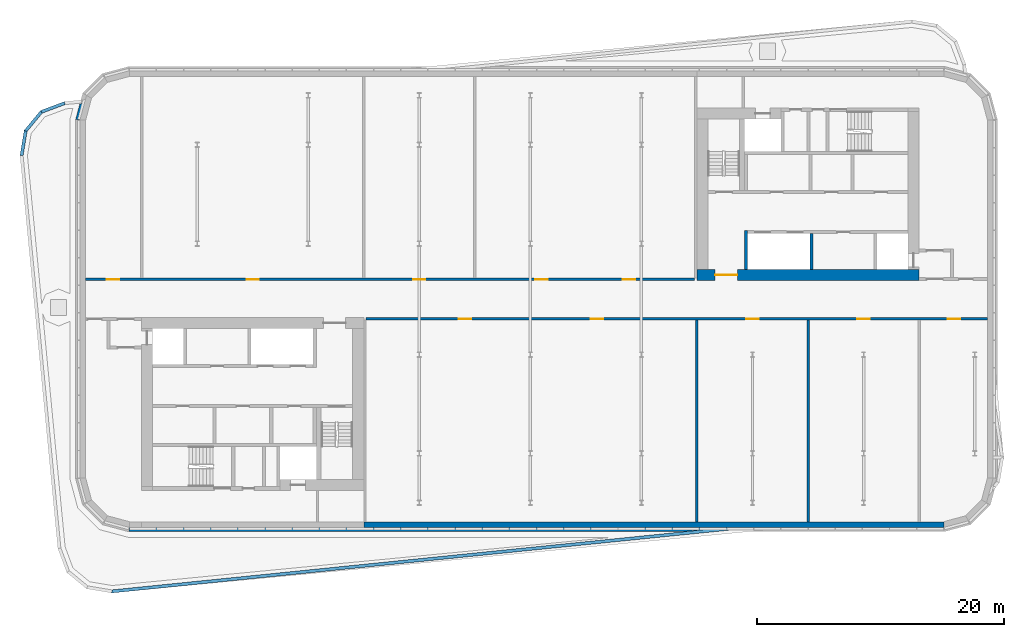
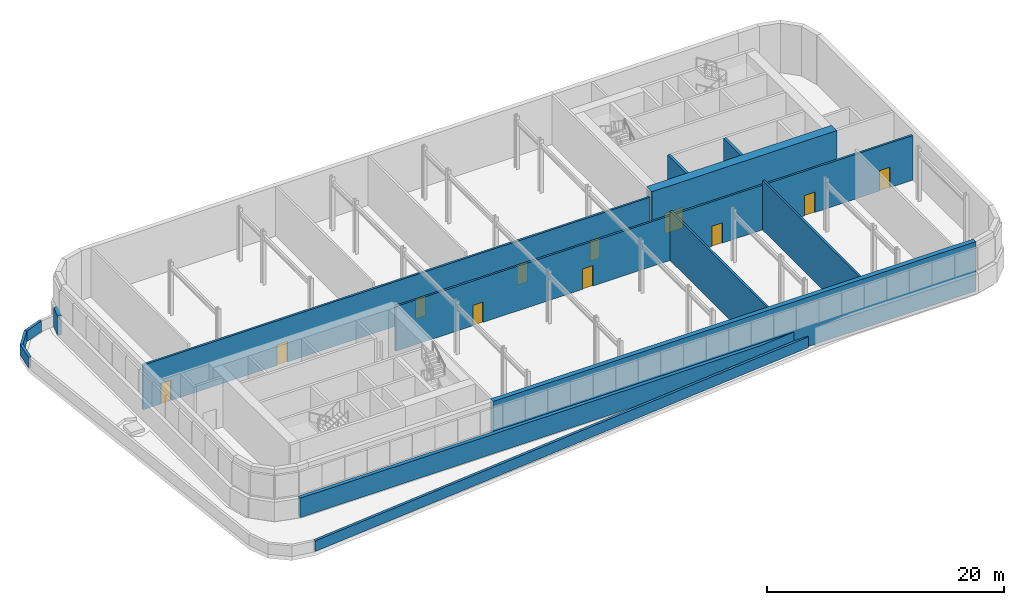
# One storey, part 7 of 16: 14 walls, 11 doors, 11 openings.
"""IFC4 building model written with IfcOpenShell, lengths in metres."""

from ifc_helpers import new_model, si_unit, direction, frame, frame_2d, origin, place, context, subcontext, project, spatial, polyline, rectangle, outline, extrude, material, layer, layer_set, type_object, element, fill, save


model = new_model("IFC4")

# Units and contexts
model_context = context("Model", 3, precision=1e-05, world=origin(), true_north=direction((0.0, 1.0)))
body_context = subcontext(model_context, "Body", "Model", "MODEL_VIEW")
ifc_project = project(units=[si_unit("LENGTHUNIT", "METRE"), si_unit("AREAUNIT", "SQUARE_METRE"), si_unit("VOLUMEUNIT", "CUBIC_METRE"), si_unit("PLANEANGLEUNIT", "RADIAN"), si_unit("MASSUNIT", "GRAM", prefix="KILO")], contexts=[model_context])

# Site, building, storey
site_placement = place(None, origin())
site = spatial("IfcSite", under=ifc_project, at=site_placement, CompositionType="ELEMENT")
building_placement = place(site_placement, origin())
building = spatial("IfcBuilding", under=site, at=building_placement, Name="Kajstack Hotel Tower", CompositionType="ELEMENT")
storey_placement = place(building_placement, frame((0.0, 0.0, 308.10009765625)))
storey = spatial("IfcBuildingStorey", under=building, at=storey_placement, Name="L78", CompositionType="ELEMENT", Elevation=308.10009765625)

# Walls
ifc_material_1 = material(Name="Concrete C40/50", Category="concrete")
ifc_layer_1 = layer(ifc_material_1, 0.35009765625)
ifc_layer_set_1 = layer_set([ifc_layer_1], Name="CROWN-BAND")
wall_type_1 = type_object("IfcWallType", Name="CROWN-BAND", PredefinedType="SOLIDWALL", material=ifc_layer_set_1)
wall_1_placement = place(storey_placement, origin())
element("IfcWall", 1, at=wall_1_placement, inside=storey, type_object=wall_type_1, Name="Crown band 3", PredefinedType="SOLIDWALL", context=body_context, shape_type="SweptSolid", body=[
    extrude(outline(polyline([(-32.5, -18.5), (-32.546142578125, -18.85009765625), (12.332763671875, -18.85009765625), (15.77490234375, -18.5), (-32.5, -18.5)])), origin(), (0.0, 0.0, 1.0), 2.0),
])
wall_2_placement = place(storey_placement, origin())
element("IfcWall", 2, at=wall_2_placement, inside=storey, type_object=wall_type_1, Name="Crown band 21", PredefinedType="SOLIDWALL", context=body_context, shape_type="SweptSolid", body=[
    extrude(outline(polyline([(-36.13671875, 15.85595703125), (-36.508544921875, 15.820068359375), (-36.85009765625, 14.546142578125), (-36.5, 14.5), (-36.13671875, 15.85595703125)])), origin(), (0.0, 0.0, 1.0), 2.0),
])

# Wall, opening, door
ifc_material_2 = material(Name="Concrete C60/75", Category="concrete")
ifc_layer_2 = layer(ifc_material_2, 0.89990234375)
ifc_layer_set_2 = layer_set([ifc_layer_2], Name="Core wall 900")
wall_type_2 = type_object("IfcWallType", Name="Core wall 900", PredefinedType="SHEAR", material=ifc_layer_set_2)
wall_3_placement = place(storey_placement, frame((13.5, 1.949951171875, 0.0), z_axis=(0.0, 0.0, 1.0), x_axis=(1.0, 0.0, 0.0)))
wall_3 = element("IfcWall", 3, at=wall_3_placement, inside=storey, type_object=wall_type_2, Name="Core wall E RN", PredefinedType="SHEAR", context=body_context, shape_type="SweptSolid", body=[
    extrude(rectangle(XDim=18.0, YDim=0.89990234375, at=frame_2d((9.0, 0.0))), origin(), (0.0, 0.0, 1.0), 5.099853515625),
])
opening_1_placement = place(wall_3_placement, frame((1.47509765625, 0.0, 0.0)))
opening_1 = element("IfcOpeningElement", 4, at=opening_1_placement, cuts=wall_3, Name="Opening 78E05", PredefinedType="OPENING", context=body_context, shape_type="SweptSolid", body=[
    extrude(rectangle(XDim=1.800048828125, YDim=2.10009765625, at=frame_2d((0.89990234375, 1.050048828125))), frame((0.0, 0.4599609375, 0.0), z_axis=(0.0, -1.0, 0.0), x_axis=(1.0, 0.0, 0.0)), (0.0, 0.0, 1.0), 0.919921875),
])
ifc_material_3 = material(Name="Glazed steel frame, fire-rated glass", Category="steel")
door_type_1 = type_object("IfcDoorType", Name="Lobby double door 1800", OperationType="DOUBLE_DOOR_DOUBLE_SWING", PredefinedType="DOOR", material=ifc_material_3)
door_1_placement = place(opening_1_placement, origin())
door_1 = element("IfcDoor", 5, at=door_1_placement, inside=storey, type_object=door_type_1, Name="Door 78E05", OperationType="DOUBLE_DOOR_DOUBLE_SWING", OverallHeight=2.10009765625, OverallWidth=1.800048828125, PredefinedType="DOOR", context=body_context, shape_type="SweptSolid", body=[
    extrude(rectangle(XDim=1.800048828125, YDim=2.10009765625, at=frame_2d((0.89990234375, 1.050048828125))), frame((0.0, 0.02490234375, 0.0), z_axis=(0.0, -1.0, 0.0), x_axis=(1.0, 0.0, 0.0)), (0.0, 0.0, 1.0), 0.050048828125),
])
fill(opening_1, door_1)

# Walls
ifc_material_4 = material(Name="Zinc-clad block masonry", Category="masonry")
ifc_layer_3 = layer(ifc_material_4, 0.449951171875)
ifc_layer_set_3 = layer_set([ifc_layer_3], Name="EW-ZINC")
wall_type_3 = type_object("IfcWallType", Name="EW-ZINC", PredefinedType="SOLIDWALL", material=ifc_layer_set_3)
wall_4_placement = place(storey_placement, frame((-13.5, -18.27490234375, 0.0), z_axis=(0.0, 0.0, 1.0), x_axis=(1.0, 0.0, 0.0)))
element("IfcWall", 6, at=wall_4_placement, inside=storey, type_object=wall_type_3, Name="E-wall-L78-03-02", PredefinedType="SOLIDWALL", context=body_context, shape_type="SweptSolid", body=[
    extrude(rectangle(XDim=47.0, YDim=0.449951171875, at=frame_2d((23.5, 0.0))), origin(), (0.0, 0.0, 1.0), 5.099853515625),
])
ifc_material_5 = material(Name="Concrete C50/60", Category="concrete")
ifc_layer_4 = layer(ifc_material_5, 0.300048828125)
ifc_layer_set_4 = layer_set([ifc_layer_4], Name="Hoistway divider wall 300")
wall_type_4 = type_object("IfcWallType", Name="Hoistway divider wall 300", PredefinedType="SHEAR", material=ifc_layer_set_4)
wall_5_placement = place(storey_placement, frame((22.77490234375, 2.39990234375, 0.0), z_axis=(0.0, 0.0, 1.0), x_axis=(0.0, 1.0, 0.0)))
element("IfcWall", 7, at=wall_5_placement, inside=storey, type_object=wall_type_4, Name="Core wall E AP2", PredefinedType="SHEAR", context=body_context, shape_type="SweptSolid", body=[
    extrude(rectangle(XDim=2.900146484375, YDim=0.25, at=frame_2d((1.4501953125, 0.0))), origin(), (0.0, 0.0, 1.0), 5.099853515625),
])
ifc_layer_5 = layer(ifc_material_4, 0.25)
ifc_layer_set_5 = layer_set([ifc_layer_5], Name="PARAPET-ZINC")
wall_type_5 = type_object("IfcWallType", Name="PARAPET-ZINC", PredefinedType="PARAPET", material=ifc_layer_set_5)
wall_6_placement = place(storey_placement, origin())
element("IfcWall", 8, at=wall_6_placement, inside=storey, type_object=wall_type_5, Name="Parapet L78-01-01-01", PredefinedType="PARAPET", context=body_context, shape_type="SweptSolid", body=[
    extrude(outline(polyline([(17.1220703125, -18.624267578125), (17.109619140625, -18.5009765625), (15.864013671875, -18.5009765625), (-33.915771484375, -23.5625), (-33.924072265625, -23.814697265625), (17.1220703125, -18.624267578125)])), origin(), (0.0, 0.0, 1.0), 1.099853515625),
])
wall_7_placement = place(storey_placement, origin())
element("IfcWall", 9, at=wall_7_placement, inside=storey, type_object=wall_type_5, Name="Parapet L78-01-01-06", PredefinedType="PARAPET", context=body_context, shape_type="SweptSolid", body=[
    extrude(outline(polyline([(-41.356201171875, 11.63623046875), (-41.104248046875, 11.62744140625), (-40.779052734375, 13.571044921875), (-41.014404296875, 13.678466796875), (-41.356201171875, 11.63623046875)])), origin(), (0.0, 0.0, 1.0), 1.099853515625),
])
wall_8_placement = place(storey_placement, origin())
element("IfcWall", 10, at=wall_8_placement, inside=storey, type_object=wall_type_5, Name="Parapet L78-01-01-07", PredefinedType="PARAPET", context=body_context, shape_type="SweptSolid", body=[
    extrude(outline(polyline([(-41.014404296875, 13.678466796875), (-40.779052734375, 13.571044921875), (-39.54736328125, 15.0654296875), (-39.697509765625, 15.276123046875), (-41.014404296875, 13.678466796875)])), origin(), (0.0, 0.0, 1.0), 1.099853515625),
])
wall_9_placement = place(storey_placement, origin())
element("IfcWall", 11, at=wall_9_placement, inside=storey, type_object=wall_type_5, Name="Parapet L78-01-01-08", PredefinedType="PARAPET", context=body_context, shape_type="SweptSolid", body=[
    extrude(outline(polyline([(-39.697509765625, 15.276123046875), (-39.54736328125, 15.0654296875), (-37.701416015625, 15.755615234375), (-37.758056640625, 16.001220703125), (-39.697509765625, 15.276123046875)])), origin(), (0.0, 0.0, 1.0), 1.099853515625),
])

# Wall, openings, doors
ifc_material_6 = material(Name="Gypsum board on steel studs, mineral wool", Category="steel")
ifc_layer_6 = layer(ifc_material_6, 0.199951171875)
ifc_layer_set_6 = layer_set([ifc_layer_6], Name="Public partition 200")
wall_type_6 = type_object("IfcWallType", Name="Public partition 200", PredefinedType="PARTITIONING", material=ifc_layer_set_6)
wall_10_placement = place(storey_placement, frame((-36.050048828125, 1.60009765625, 0.0), z_axis=(0.0, 0.0, 1.0), x_axis=(1.0, 0.0, 0.0)))
wall_10 = element("IfcWall", 12, at=wall_10_placement, inside=storey, type_object=wall_type_6, Name="Partition FW", PredefinedType="PARTITIONING", context=body_context, shape_type="SweptSolid", body=[
    extrude(rectangle(XDim=49.35009765625, YDim=0.199951171875, at=frame_2d((24.675048828125, 0.0))), origin(), (0.0, 0.0, 1.0), 4.599853515625),
])
opening_2_placement = place(wall_10_placement, frame((43.5400390625, 0.0, 0.0)))
opening_2 = element("IfcOpeningElement", 13, at=opening_2_placement, cuts=wall_10, Name="Opening 78P01", PredefinedType="OPENING", context=body_context, shape_type="SweptSolid", body=[
    extrude(rectangle(XDim=1.0, YDim=2.10009765625, at=frame_2d((0.5, 1.050048828125))), frame((0.0, 0.10986328125, 0.0), z_axis=(0.0, -1.0, 0.0), x_axis=(1.0, 0.0, 0.0)), (0.0, 0.0, 1.0), 0.219970703125),
])
opening_3_placement = place(wall_10_placement, frame((36.4599609375, 0.0, 0.0)))
opening_3 = element("IfcOpeningElement", 14, at=opening_3_placement, cuts=wall_10, Name="Opening 78P02", PredefinedType="OPENING", context=body_context, shape_type="SweptSolid", body=[
    extrude(rectangle(XDim=1.0, YDim=2.10009765625, at=frame_2d((0.5, 1.050048828125))), frame((0.0, 0.10986328125, 0.0), z_axis=(0.0, -1.0, 0.0), x_axis=(1.0, 0.0, 0.0)), (0.0, 0.0, 1.0), 0.219970703125),
])
opening_4_placement = place(wall_10_placement, frame((26.550048828125, 0.0, 0.0)))
opening_4 = element("IfcOpeningElement", 15, at=opening_4_placement, cuts=wall_10, Name="Opening 78P03", PredefinedType="OPENING", context=body_context, shape_type="SweptSolid", body=[
    extrude(rectangle(XDim=1.0, YDim=2.10009765625, at=frame_2d((0.5, 1.050048828125))), frame((0.0, 0.10986328125, 0.0), z_axis=(0.0, -1.0, 0.0), x_axis=(1.0, 0.0, 0.0)), (0.0, 0.0, 1.0), 0.219970703125),
])
opening_5_placement = place(wall_10_placement, frame((13.050048828125, 0.0, 0.0)))
opening_5 = element("IfcOpeningElement", 16, at=opening_5_placement, cuts=wall_10, Name="Opening 78P04", PredefinedType="OPENING", context=body_context, shape_type="SweptSolid", body=[
    extrude(rectangle(XDim=1.0, YDim=2.10009765625, at=frame_2d((0.5, 1.050048828125))), frame((0.0, 0.10986328125, 0.0), z_axis=(0.0, -1.0, 0.0), x_axis=(1.0, 0.0, 0.0)), (0.0, 0.0, 1.0), 0.219970703125),
])
opening_6_placement = place(wall_10_placement, frame((1.72509765625, 0.0, 0.0)))
opening_6 = element("IfcOpeningElement", 17, at=opening_6_placement, cuts=wall_10, Name="Opening 78P05", PredefinedType="OPENING", context=body_context, shape_type="SweptSolid", body=[
    extrude(rectangle(XDim=1.0, YDim=2.10009765625, at=frame_2d((0.5, 1.050048828125))), frame((0.0, 0.10986328125, 0.0), z_axis=(0.0, -1.0, 0.0), x_axis=(1.0, 0.0, 0.0)), (0.0, 0.0, 1.0), 0.219970703125),
])
ifc_material_7 = material(Name="Timber leaf", Category="wood")
door_type_2 = type_object("IfcDoorType", Name="Public room door 1000", OperationType="SINGLE_SWING_LEFT", PredefinedType="DOOR", material=ifc_material_7)
door_2_placement = place(opening_2_placement, origin())
door_2 = element("IfcDoor", 18, at=door_2_placement, inside=storey, type_object=door_type_2, Name="Door 78P01", OperationType="SINGLE_SWING_LEFT", OverallHeight=2.10009765625, OverallWidth=1.0, PredefinedType="DOOR", context=body_context, shape_type="SweptSolid", body=[
    extrude(rectangle(XDim=1.0, YDim=2.10009765625, at=frame_2d((0.5, 1.050048828125))), frame((0.0, 0.02490234375, 0.0), z_axis=(0.0, -1.0, 0.0), x_axis=(1.0, 0.0, 0.0)), (0.0, 0.0, 1.0), 0.050048828125),
])
fill(opening_2, door_2)
door_3_placement = place(opening_3_placement, origin())
door_3 = element("IfcDoor", 19, at=door_3_placement, inside=storey, type_object=door_type_2, Name="Door 78P02", OperationType="SINGLE_SWING_LEFT", OverallHeight=2.10009765625, OverallWidth=1.0, PredefinedType="DOOR", context=body_context, shape_type="SweptSolid", body=[
    extrude(rectangle(XDim=1.0, YDim=2.10009765625, at=frame_2d((0.5, 1.050048828125))), frame((0.0, 0.02490234375, 0.0), z_axis=(0.0, -1.0, 0.0), x_axis=(1.0, 0.0, 0.0)), (0.0, 0.0, 1.0), 0.050048828125),
])
fill(opening_3, door_3)
door_4_placement = place(opening_4_placement, origin())
door_4 = element("IfcDoor", 20, at=door_4_placement, inside=storey, type_object=door_type_2, Name="Door 78P03", OperationType="SINGLE_SWING_LEFT", OverallHeight=2.10009765625, OverallWidth=1.0, PredefinedType="DOOR", context=body_context, shape_type="SweptSolid", body=[
    extrude(rectangle(XDim=1.0, YDim=2.10009765625, at=frame_2d((0.5, 1.050048828125))), frame((0.0, 0.02490234375, 0.0), z_axis=(0.0, -1.0, 0.0), x_axis=(1.0, 0.0, 0.0)), (0.0, 0.0, 1.0), 0.050048828125),
])
fill(opening_4, door_4)
door_5_placement = place(opening_5_placement, origin())
door_5 = element("IfcDoor", 21, at=door_5_placement, inside=storey, type_object=door_type_2, Name="Door 78P04", OperationType="SINGLE_SWING_LEFT", OverallHeight=2.10009765625, OverallWidth=1.0, PredefinedType="DOOR", context=body_context, shape_type="SweptSolid", body=[
    extrude(rectangle(XDim=1.0, YDim=2.10009765625, at=frame_2d((0.5, 1.050048828125))), frame((0.0, 0.02490234375, 0.0), z_axis=(0.0, -1.0, 0.0), x_axis=(1.0, 0.0, 0.0)), (0.0, 0.0, 1.0), 0.050048828125),
])
fill(opening_5, door_5)
door_6_placement = place(opening_6_placement, origin())
door_6 = element("IfcDoor", 22, at=door_6_placement, inside=storey, type_object=door_type_2, Name="Door 78P05", OperationType="SINGLE_SWING_LEFT", OverallHeight=2.10009765625, OverallWidth=1.0, PredefinedType="DOOR", context=body_context, shape_type="SweptSolid", body=[
    extrude(rectangle(XDim=1.0, YDim=2.10009765625, at=frame_2d((0.5, 1.050048828125))), frame((0.0, 0.02490234375, 0.0), z_axis=(0.0, -1.0, 0.0), x_axis=(1.0, 0.0, 0.0)), (0.0, 0.0, 1.0), 0.050048828125),
])
fill(opening_6, door_6)

# Walls
for number, where, z_axis, x_axis, name in (
    (23, (13.5, -18.050048828125, 0.0), (0.0, 0.0, 1.0), (0.0, 1.0, 0.0), "Partition SPX0"),
    (24, (22.5, -18.050048828125, 0.0), (0.0, 0.0, 1.0), (0.0, 1.0, 0.0), "Partition SPX1"),
):
    element("IfcWall", number, at=place(storey_placement, frame(where, z_axis=z_axis, x_axis=x_axis)), inside=storey, type_object=wall_type_6, Name=name, PredefinedType="PARTITIONING", context=body_context, shape_type="SweptSolid", body=[
        extrude(rectangle(XDim=16.35009765625, YDim=0.199951171875, at=frame_2d((8.175048828125, 0.0))), origin(), (0.0, 0.0, 1.0), 5.099853515625),
    ])

# Wall, openings, doors
wall_11_placement = place(storey_placement, frame((-13.300048828125, -1.60009765625, 0.0), z_axis=(0.0, 0.0, 1.0), x_axis=(1.0, 0.0, 0.0)))
wall_11 = element("IfcWall", 25, at=wall_11_placement, inside=storey, type_object=wall_type_6, Name="Partition SFW", PredefinedType="PARTITIONING", context=body_context, shape_type="SweptSolid", body=[
    extrude(rectangle(XDim=50.35009765625, YDim=0.199951171875, at=frame_2d((25.175048828125, 0.0))), origin(), (0.0, 0.0, 1.0), 4.599853515625),
])
opening_7_placement = place(wall_11_placement, frame((7.510009765625, 0.0, 0.0)))
opening_7 = element("IfcOpeningElement", 26, at=opening_7_placement, cuts=wall_11, Name="Opening 78P06", PredefinedType="OPENING", context=body_context, shape_type="SweptSolid", body=[
    extrude(rectangle(XDim=1.0, YDim=2.10009765625, at=frame_2d((0.5, 1.050048828125))), frame((0.0, 0.10986328125, 0.0), z_axis=(0.0, -1.0, 0.0), x_axis=(1.0, 0.0, 0.0)), (0.0, 0.0, 1.0), 0.219970703125),
])
opening_8_placement = place(wall_11_placement, frame((18.18994140625, 0.0, 0.0)))
opening_8 = element("IfcOpeningElement", 27, at=opening_8_placement, cuts=wall_11, Name="Opening 78P07", PredefinedType="OPENING", context=body_context, shape_type="SweptSolid", body=[
    extrude(rectangle(XDim=1.0, YDim=2.10009765625, at=frame_2d((0.5, 1.050048828125))), frame((0.0, 0.10986328125, 0.0), z_axis=(0.0, -1.0, 0.0), x_axis=(1.0, 0.0, 0.0)), (0.0, 0.0, 1.0), 0.219970703125),
])
opening_9_placement = place(wall_11_placement, frame((30.800048828125, 0.0, 0.0)))
opening_9 = element("IfcOpeningElement", 28, at=opening_9_placement, cuts=wall_11, Name="Opening 78P08", PredefinedType="OPENING", context=body_context, shape_type="SweptSolid", body=[
    extrude(rectangle(XDim=1.0, YDim=2.10009765625, at=frame_2d((0.5, 1.050048828125))), frame((0.0, 0.10986328125, 0.0), z_axis=(0.0, -1.0, 0.0), x_axis=(1.0, 0.0, 0.0)), (0.0, 0.0, 1.0), 0.219970703125),
])
opening_10_placement = place(wall_11_placement, frame((39.800048828125, 0.0, 0.0)))
opening_10 = element("IfcOpeningElement", 29, at=opening_10_placement, cuts=wall_11, Name="Opening 78P09", PredefinedType="OPENING", context=body_context, shape_type="SweptSolid", body=[
    extrude(rectangle(XDim=1.0, YDim=2.10009765625, at=frame_2d((0.5, 1.050048828125))), frame((0.0, 0.10986328125, 0.0), z_axis=(0.0, -1.0, 0.0), x_axis=(1.0, 0.0, 0.0)), (0.0, 0.0, 1.0), 0.219970703125),
])
opening_11_placement = place(wall_11_placement, frame((47.125, 0.0, 0.0)))
opening_11 = element("IfcOpeningElement", 30, at=opening_11_placement, cuts=wall_11, Name="Opening 78P10", PredefinedType="OPENING", context=body_context, shape_type="SweptSolid", body=[
    extrude(rectangle(XDim=1.0, YDim=2.10009765625, at=frame_2d((0.5, 1.050048828125))), frame((0.0, 0.10986328125, 0.0), z_axis=(0.0, -1.0, 0.0), x_axis=(1.0, 0.0, 0.0)), (0.0, 0.0, 1.0), 0.219970703125),
])
door_7_placement = place(opening_7_placement, origin())
door_7 = element("IfcDoor", 31, at=door_7_placement, inside=storey, type_object=door_type_2, Name="Door 78P06", OperationType="SINGLE_SWING_RIGHT", OverallHeight=2.10009765625, OverallWidth=1.0, PredefinedType="DOOR", context=body_context, shape_type="SweptSolid", body=[
    extrude(rectangle(XDim=1.0, YDim=2.10009765625, at=frame_2d((0.5, 1.050048828125))), frame((0.0, 0.02490234375, 0.0), z_axis=(0.0, -1.0, 0.0), x_axis=(1.0, 0.0, 0.0)), (0.0, 0.0, 1.0), 0.050048828125),
])
fill(opening_7, door_7)
door_8_placement = place(opening_8_placement, origin())
door_8 = element("IfcDoor", 32, at=door_8_placement, inside=storey, type_object=door_type_2, Name="Door 78P07", OperationType="SINGLE_SWING_RIGHT", OverallHeight=2.10009765625, OverallWidth=1.0, PredefinedType="DOOR", context=body_context, shape_type="SweptSolid", body=[
    extrude(rectangle(XDim=1.0, YDim=2.10009765625, at=frame_2d((0.5, 1.050048828125))), frame((0.0, 0.02490234375, 0.0), z_axis=(0.0, -1.0, 0.0), x_axis=(1.0, 0.0, 0.0)), (0.0, 0.0, 1.0), 0.050048828125),
])
fill(opening_8, door_8)
door_9_placement = place(opening_9_placement, origin())
door_9 = element("IfcDoor", 33, at=door_9_placement, inside=storey, type_object=door_type_2, Name="Door 78P08", OperationType="SINGLE_SWING_RIGHT", OverallHeight=2.10009765625, OverallWidth=1.0, PredefinedType="DOOR", context=body_context, shape_type="SweptSolid", body=[
    extrude(rectangle(XDim=1.0, YDim=2.10009765625, at=frame_2d((0.5, 1.050048828125))), frame((0.0, 0.02490234375, 0.0), z_axis=(0.0, -1.0, 0.0), x_axis=(1.0, 0.0, 0.0)), (0.0, 0.0, 1.0), 0.050048828125),
])
fill(opening_9, door_9)
door_10_placement = place(opening_10_placement, origin())
door_10 = element("IfcDoor", 34, at=door_10_placement, inside=storey, type_object=door_type_2, Name="Door 78P09", OperationType="SINGLE_SWING_RIGHT", OverallHeight=2.10009765625, OverallWidth=1.0, PredefinedType="DOOR", context=body_context, shape_type="SweptSolid", body=[
    extrude(rectangle(XDim=1.0, YDim=2.10009765625, at=frame_2d((0.5, 1.050048828125))), frame((0.0, 0.02490234375, 0.0), z_axis=(0.0, -1.0, 0.0), x_axis=(1.0, 0.0, 0.0)), (0.0, 0.0, 1.0), 0.050048828125),
])
fill(opening_10, door_10)
door_11_placement = place(opening_11_placement, origin())
door_11 = element("IfcDoor", 35, at=door_11_placement, inside=storey, type_object=door_type_2, Name="Door 78P10", OperationType="SINGLE_SWING_RIGHT", OverallHeight=2.10009765625, OverallWidth=1.0, PredefinedType="DOOR", context=body_context, shape_type="SweptSolid", body=[
    extrude(rectangle(XDim=1.0, YDim=2.10009765625, at=frame_2d((0.5, 1.050048828125))), frame((0.0, 0.02490234375, 0.0), z_axis=(0.0, -1.0, 0.0), x_axis=(1.0, 0.0, 0.0)), (0.0, 0.0, 1.0), 0.050048828125),
])
fill(opening_11, door_11)

# Wall
ifc_layer_7 = layer(ifc_material_5, 0.25)
ifc_layer_set_7 = layer_set([ifc_layer_7], Name="Shaft wall 250")
wall_type_7 = type_object("IfcWallType", Name="Shaft wall 250", PredefinedType="SHEAR", material=ifc_layer_set_7)
wall_12_placement = place(storey_placement, frame((17.47509765625, 2.39990234375, 0.0), z_axis=(0.0, 0.0, 1.0), x_axis=(0.0, 1.0, 0.0)))
element("IfcWall", 36, at=wall_12_placement, inside=storey, type_object=wall_type_7, Name="Core wall E AE", PredefinedType="SHEAR", context=body_context, shape_type="SweptSolid", body=[
    extrude(rectangle(XDim=3.150146484375, YDim=0.25, at=frame_2d((1.5751953125, 0.0))), origin(), (0.0, 0.0, 1.0), 5.099853515625),
])

save(model, "model.ifc")
